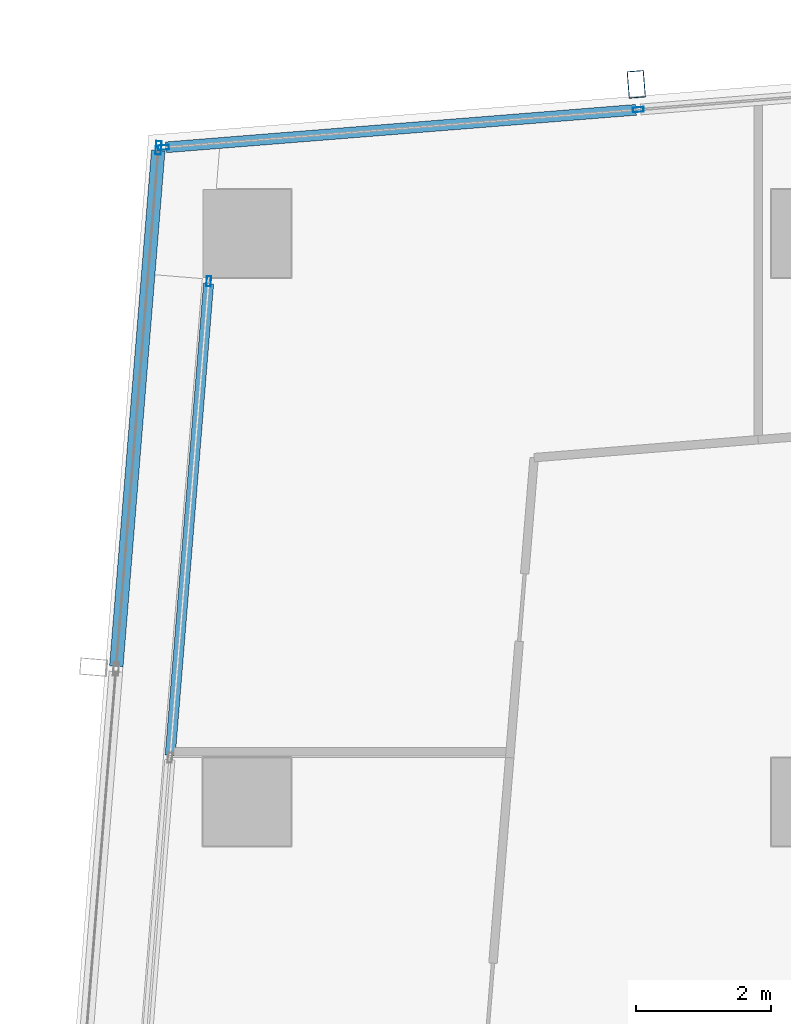
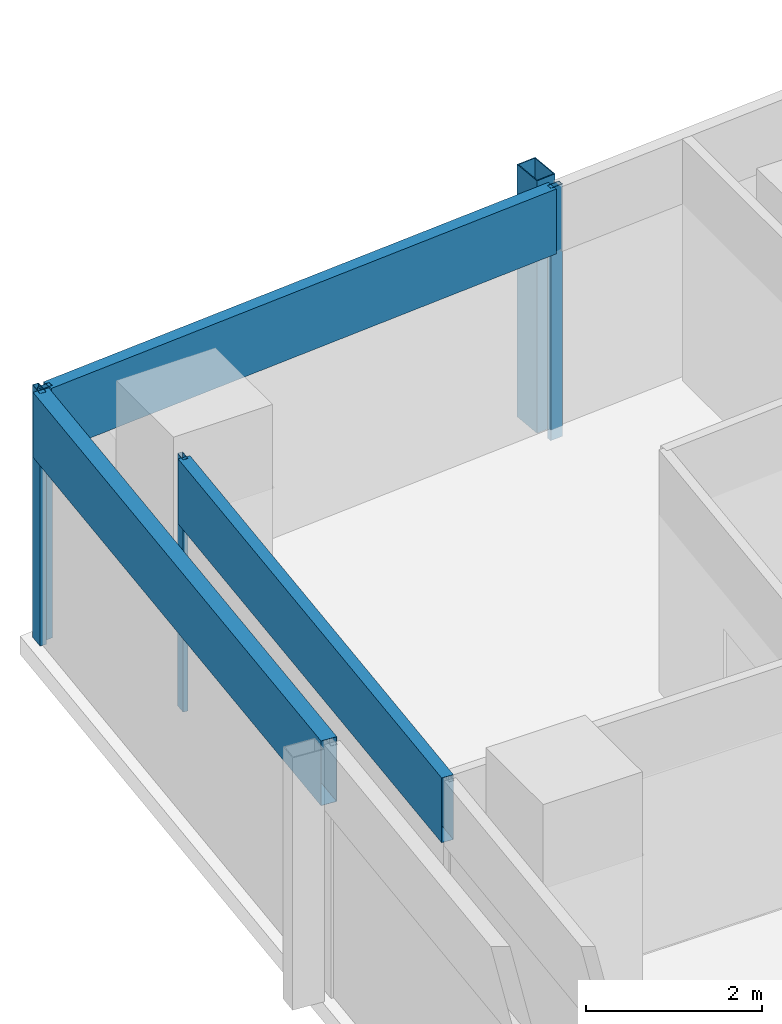
# One storey, part 13 of 28: 8 members, 3 elements without a shape of their own.
"""IFC4 building model written with IfcOpenShell, lengths in metres."""

import ifcopenshell
import ifcopenshell.guid

model = None  # the IFC model being written
_history = None  # IfcOwnerHistory: only IFC2X3 demands one
_inside = {}  # id of a spatial element -> (the spatial element, [elements in it])
_under = {}  # id of a project, library or spatial element -> (it, [spatial elements below it])
_declared = {}  # id of a project -> (the project, [libraries it declares])
_typed = {}  # id of a type object -> (the type object, [elements of that type])
_made_of = {}  # id of a material, layer set ... -> (it, [elements and type objects made of it])


def new_model(schema):
    """Start an empty IFC model of exactly this schema.

    Asked for "IFC4X3", IfcOpenShell would pick the latest addendum, in which some entities
    have other attributes; the version numbers below select the first issue.
    IFC2X3 requires an IfcOwnerHistory on every rooted entity: one is made here for all.
    """
    global model, _history
    if schema == "IFC4X3":
        model = ifcopenshell.file(schema_version=(4, 3, 0, 0))
    else:
        model = ifcopenshell.file(schema=schema)
    _inside.clear()
    _under.clear()
    _declared.clear()
    _typed.clear()
    _made_of.clear()
    _history = None
    if model.schema == "IFC2X3":
        org = make("IfcOrganization", Name="unknown")
        user = make(
            "IfcPersonAndOrganization",
            ThePerson=make("IfcPerson", FamilyName="unknown"),
            TheOrganization=org,
        )
        app = make(
            "IfcApplication",
            ApplicationDeveloper=org,
            Version="unknown",
            ApplicationFullName="unknown",
            ApplicationIdentifier="unknown",
        )
        _history = make(
            "IfcOwnerHistory",
            OwningUser=user,
            OwningApplication=app,
            ChangeAction="ADDED",
            CreationDate=0,
        )
    return model


def make(cls, **values):
    """One entity of the class cls with the attributes given. An attribute that is None is left unset."""
    return model.create_entity(
        cls, **{name: value for name, value in values.items() if value is not None}
    )


def rooted(cls, **values):
    """An entity with a GlobalId (a new one), such as an element, a storey or a relation."""
    return make(cls, GlobalId=ifcopenshell.guid.new(), OwnerHistory=_history, **values)


def si_unit(unit_type, name, prefix=None):
    """IfcSIUnit, for example si_unit("LENGTHUNIT", "METRE", prefix="MILLI")."""
    return make("IfcSIUnit", UnitType=unit_type, Prefix=prefix, Name=name)


def assignment(units):
    """IfcUnitAssignment: the units of a project."""
    return None if units is None else make("IfcUnitAssignment", Units=units)


def point(xyz):
    """IfcCartesianPoint."""
    return None if xyz is None else make("IfcCartesianPoint", Coordinates=xyz)


def direction(xyz):
    """IfcDirection."""
    return None if xyz is None else make("IfcDirection", DirectionRatios=xyz)


def frame(location, z_axis=None, x_axis=None):
    """IfcAxis2Placement3D, a coordinate frame: its origin and axes. An axis left out is left unset."""
    return make(
        "IfcAxis2Placement3D",
        Location=point(location),
        Axis=direction(z_axis),
        RefDirection=direction(x_axis),
    )


def frame_2d(location, x_axis=None):
    """IfcAxis2Placement2D, a coordinate frame in the plane: its origin and x axis."""
    return make(
        "IfcAxis2Placement2D", Location=point(location), RefDirection=direction(x_axis)
    )


def origin():
    """The frame at (0, 0, 0) with its axes left unset."""
    return frame((0.0, 0.0, 0.0))


def origin_2d():
    """The frame at (0, 0) in the plane with its x axis left unset."""
    return frame_2d((0.0, 0.0))


def place(relative_to, where):
    """IfcLocalPlacement: puts the frame where relative to a parent placement (None: the world)."""
    return make(
        "IfcLocalPlacement", PlacementRelTo=relative_to, RelativePlacement=where
    )


def context(
    kind, dimensions, precision=None, world=None, true_north=None, identifier=None
):
    """IfcGeometricRepresentationContext, for example the 3D "Model" context."""
    return make(
        "IfcGeometricRepresentationContext",
        ContextIdentifier=identifier,
        ContextType=kind,
        CoordinateSpaceDimension=dimensions,
        Precision=precision,
        WorldCoordinateSystem=world,
        TrueNorth=true_north,
    )


def subcontext(parent, identifier, kind, view, scale=None):
    """IfcGeometricRepresentationSubContext, for example "Body" below "Model"."""
    return make(
        "IfcGeometricRepresentationSubContext",
        ContextIdentifier=identifier,
        ContextType=kind,
        ParentContext=parent,
        TargetScale=scale,
        TargetView=view,
    )


def project(units=None, contexts=None):
    """IfcProject with its units and contexts."""
    return rooted(
        "IfcProject",
        Name="project",
        RepresentationContexts=contexts,
        UnitsInContext=assignment(units),
    )


def spatial(cls, under=None, at=None, **own):
    """A site, building, storey or space (cls), placed at a placement, below another one or the project."""
    s = rooted(cls, ObjectPlacement=at, **own)
    if under is not None:
        _under.setdefault(under.id(), (under, []))[1].append(s)
    return s


def profile(cls, at=None, kind="AREA", **sizes):
    """A parametric profile (cls). Its sizes go by their IFC names, for example OverallWidth=200.0."""
    return make(cls, ProfileType=kind, Position=at, **sizes)


def hollow_rectangle(**sizes):
    """IfcRectangleHollowProfileDef."""
    return profile("IfcRectangleHollowProfileDef", **sizes)


def extrude(swept, where, along, depth):
    """IfcExtrudedAreaSolid: the profile swept, set in the frame where, extruded along a direction by depth."""
    return make(
        "IfcExtrudedAreaSolid",
        SweptArea=swept,
        Position=where,
        ExtrudedDirection=direction(along),
        Depth=depth,
    )


def shape(context_of_items, identifier, shape_type, items):
    """IfcShapeRepresentation: the items that make up one representation, for example the "Body"."""
    return make(
        "IfcShapeRepresentation",
        ContextOfItems=context_of_items,
        RepresentationIdentifier=identifier,
        RepresentationType=shape_type,
        Items=items,
    )


def material(Name=None, Category=None):
    """IfcMaterial."""
    return make("IfcMaterial", Name=Name, Category=Category)


def material_profile(
    of_material, cross_section, Name=None, Category=None, Priority=None
):
    """IfcMaterialProfile: a cross section and its material."""
    return make(
        "IfcMaterialProfile",
        Name=Name,
        Material=of_material,
        Profile=cross_section,
        Priority=Priority,
        Category=Category,
    )


def profile_set(profiles, Name=None, composite=None):
    """IfcMaterialProfileSet."""
    return make(
        "IfcMaterialProfileSet",
        Name=Name,
        MaterialProfiles=profiles,
        CompositeProfile=composite,
    )


def made_of(thing, what):
    """Note that an element or type object is made of a material, layer set ...; save() writes the relation."""
    if what is not None:
        _made_of.setdefault(what.id(), (what, []))[1].append(thing)
    return thing


def type_object(cls, material=None, **own):
    """A type object (cls), such as IfcWallType, which elements share."""
    return made_of(rooted(cls, **own), material)


def element(
    cls,
    number,
    at=None,
    inside=None,
    cuts=None,
    type_object=None,
    material=None,
    context=None,
    identifier="Body",
    shape_type=None,
    held_by="IfcProductDefinitionShape",
    body=None,
    shapes=None,
    **own,
):
    """One element of the class cls, such as IfcWall. Its Tag is "e" and its number.

    at: its placement. inside: the storey or other place that contains it. cuts: it is an
    opening in that element (IfcRelVoidsElement). A single representation is given by context,
    identifier, shape_type and body (its items); several are given by shapes. held_by: the class
    of the entity that holds the representations. save() writes the other relations.
    """
    e = rooted(cls, Tag="e%d" % number, ObjectPlacement=at, **own)
    if body is not None:
        shapes = [shape(context, identifier, shape_type, body)]
    if shapes is not None:
        e.Representation = make(held_by, Representations=shapes)
    if inside is not None:
        _inside.setdefault(inside.id(), (inside, []))[1].append(e)
    if cuts is not None:
        rooted(
            "IfcRelVoidsElement", RelatingBuildingElement=cuts, RelatedOpeningElement=e
        )
    if type_object is not None:
        _typed.setdefault(type_object.id(), (type_object, []))[1].append(e)
    return made_of(e, material)


def aggregate(whole, parts):
    """IfcRelAggregates: a whole, such as a stair, and the parts it consists of."""
    return rooted("IfcRelAggregates", RelatingObject=whole, RelatedObjects=parts)


def save(model, path):
    """Write the relations noted so far, then the file.

    IfcRelAggregates (storeys below a building ...), IfcRelContainedInSpatialStructure (elements
    in a storey), IfcRelDefinesByType, IfcRelAssociatesMaterial and IfcRelDeclares: one each for
    every whole, place, type object, material and project.
    """
    for whole, parts in _under.values():
        aggregate(whole, parts)
    for where, things in _inside.values():
        rooted(
            "IfcRelContainedInSpatialStructure",
            RelatedElements=things,
            RelatingStructure=where,
        )
    for kind, things in _typed.values():
        rooted("IfcRelDefinesByType", RelatedObjects=things, RelatingType=kind)
    for what, things in _made_of.values():
        rooted("IfcRelAssociatesMaterial", RelatedObjects=things, RelatingMaterial=what)
    for by, libraries in _declared.values():
        rooted("IfcRelDeclares", RelatingContext=by, RelatedDefinitions=libraries)
    model.write(path)


model = new_model("IFC4")

# Units and contexts
model_context = context("Model", 3, precision=1e-05, world=origin(), true_north=direction((0.0, 1.0)))
body_context = subcontext(model_context, "Body", "Model", "MODEL_VIEW")
ifc_project = project(units=[si_unit("LENGTHUNIT", "METRE"), si_unit("AREAUNIT", "SQUARE_METRE"), si_unit("VOLUMEUNIT", "CUBIC_METRE"), si_unit("PLANEANGLEUNIT", "RADIAN"), si_unit("MASSUNIT", "GRAM", prefix="KILO")], contexts=[model_context])

# Site, building, storey
site_placement = place(None, origin())
site = spatial("IfcSite", under=ifc_project, at=site_placement, CompositionType="ELEMENT")
building_placement = place(site_placement, origin())
building = spatial("IfcBuilding", under=site, at=building_placement, Name="Rekha Terrace Tower", CompositionType="ELEMENT")
storey_placement = place(building_placement, frame((0.0, 0.0, 253.85009765625)))
storey = spatial("IfcBuildingStorey", under=building, at=storey_placement, Name="L64", CompositionType="ELEMENT", Elevation=253.85009765625)

# Curtain wall, member
ifc_material_1 = material(Name="Aluminium framing", Category="aluminium")
curtain_wall_type_1 = type_object("IfcCurtainWallType", Name="CW3 north unitised glazing", PredefinedType="USERDEFINED", material=ifc_material_1)
curtain_wall_1_placement = place(storey_placement, origin())
curtain_wall_1 = element("IfcCurtainWall", 1, at=curtain_wall_1_placement, inside=storey, type_object=curtain_wall_type_1, Name="CW3 unitised curtain wall", ObjectType="UNITISED CURTAIN WALL", PredefinedType="USERDEFINED")
ifc_material_2 = material(Name="Steel S355 with fluorocarbon finish", Category="steel")
ifc_material_profile_1 = material_profile(ifc_material_2, hollow_rectangle(XDim=0.25, YDim=0.39990234375, WallThickness=0.012451171875, at=origin_2d()), Name="RHS400x250x12.5")
ifc_profile_set_1 = profile_set([ifc_material_profile_1], Name="Steel S355 with fluorocarbon finish")
member_type_1 = type_object("IfcMemberType", Name="BL1 facade blade RHS 400 x 250", PredefinedType="USERDEFINED", material=ifc_profile_set_1)
member_1_placement = place(storey_placement, frame((14.1513671875, 52.599853515625, 0.0), z_axis=(0.0, 0.0, 1.0), x_axis=(-0.996836012392, -0.079485623849, 0.0)))
member_1 = element("IfcMember", 2, at=member_1_placement, type_object=member_type_1, Name="Facade blade", ObjectType="FACADE BLADE", PredefinedType="USERDEFINED", context=body_context, shape_type="SweptSolid", body=[
    extrude(hollow_rectangle(XDim=0.25, YDim=0.39990234375, WallThickness=0.012451171875, at=origin_2d()), origin(), (0.0, 0.0, 1.0), 3.5),
])

# Curtain wall, members
curtain_wall_type_2 = type_object("IfcCurtainWallType", Name="CW1 double skin inner glazing", PredefinedType="USERDEFINED", material=ifc_material_1)
curtain_wall_2_placement = place(storey_placement, origin())
curtain_wall_2 = element("IfcCurtainWall", 3, at=curtain_wall_2_placement, inside=storey, type_object=curtain_wall_type_2, Name="CW1 double skin inner glazing", ObjectType="DOUBLE SKIN INNER GLAZING", PredefinedType="USERDEFINED")
ifc_material_3 = material(Name="Aluminium mullion section", Category="aluminium")
ifc_material_profile_2 = material_profile(ifc_material_3, hollow_rectangle(XDim=0.06494140625, YDim=0.14990234375, WallThickness=0.00390625, at=origin_2d()), Name="AL RHS 65x150")
ifc_profile_set_2 = profile_set([ifc_material_profile_2], Name="Aluminium mullion section")
member_type_2 = type_object("IfcMemberType", Name="CW1 mullion RHS 65 x 150", PredefinedType="MULLION", material=ifc_profile_set_2)
member_2_placement = place(storey_placement, frame((7.837890625, 49.690185546875, 0.0), z_axis=(0.0, 0.0, 1.0), x_axis=(0.996708580524, -0.081067906781, 0.0)))
member_2 = element("IfcMember", 4, at=member_2_placement, type_object=member_type_2, Name="CW1 mullion 1", PredefinedType="MULLION", context=body_context, shape_type="SweptSolid", body=[
    extrude(hollow_rectangle(XDim=0.06494140625, YDim=0.14990234375, WallThickness=0.00390625, at=origin_2d()), origin(), (0.0, 0.0, 1.0), 3.5),
])
ifc_material_4 = material(Name="Insulated aluminium spandrel box", Category="aluminium")
ifc_material_profile_3 = material_profile(ifc_material_4, hollow_rectangle(XDim=0.14990234375, YDim=0.89990234375, WallThickness=0.0029296875, at=origin_2d()), Name="AL SPANDREL BOX 150x900")
ifc_profile_set_3 = profile_set([ifc_material_profile_3], Name="Insulated aluminium spandrel box")
member_type_3 = type_object("IfcMemberType", Name="CW1 spandrel transom 150 x 900", PredefinedType="USERDEFINED", material=ifc_profile_set_3)
member_3_placement = place(storey_placement, frame((7.835205078125, 49.65771484375, 3.0498046875), z_axis=(-0.081074618383, -0.996708034609, 0.0), x_axis=(0.996708034609, -0.081074618383, 0.0)))
member_3 = element("IfcMember", 5, at=member_3_placement, type_object=member_type_3, Name="CW1 spandrel transom 1", ObjectType="TRANSOM", PredefinedType="USERDEFINED", context=body_context, shape_type="SweptSolid", body=[
    extrude(hollow_rectangle(XDim=0.14990234375, YDim=0.89990234375, WallThickness=0.0029296875, at=origin_2d()), origin(), (0.0, 0.0, 1.0), 6.9921875),
])
aggregate(curtain_wall_2, [member_2, member_3])

curtain_wall_type_3 = type_object("IfcCurtainWallType", Name="CW2 double skin outer glazing", PredefinedType="USERDEFINED", material=ifc_material_1)
curtain_wall_3_placement = place(storey_placement, origin())
curtain_wall_3 = element("IfcCurtainWall", 6, at=curtain_wall_3_placement, inside=storey, type_object=curtain_wall_type_3, Name="CW2 double skin outer glazing", ObjectType="DOUBLE SKIN OUTER GLAZING", PredefinedType="USERDEFINED")
ifc_material_profile_4 = material_profile(ifc_material_3, hollow_rectangle(XDim=0.080078125, YDim=0.199951171875, WallThickness=0.00390625, at=origin_2d()), Name="AL RHS 80x200")
ifc_profile_set_4 = profile_set([ifc_material_profile_4], Name="Aluminium mullion section")
member_type_4 = type_object("IfcMemberType", Name="CW2 mullion RHS 80 x 200", PredefinedType="MULLION", material=ifc_profile_set_4)
member_4_placement = place(storey_placement, frame((7.09521484375, 51.661376953125, 0.0), z_axis=(0.0, 0.0, 1.0), x_axis=(0.996708580521, -0.081067906816, 0.0)))
member_4 = element("IfcMember", 7, at=member_4_placement, type_object=member_type_4, Name="CW2 mullion 1", PredefinedType="MULLION", context=body_context, shape_type="SweptSolid", body=[
    extrude(hollow_rectangle(XDim=0.080078125, YDim=0.199951171875, WallThickness=0.00390625, at=origin_2d()), origin(), (0.0, 0.0, 1.0), 3.5),
])
ifc_material_profile_5 = material_profile(ifc_material_4, hollow_rectangle(XDim=0.199951171875, YDim=0.89990234375, WallThickness=0.0029296875, at=origin_2d()), Name="AL SPANDREL BOX 200x900")
ifc_profile_set_5 = profile_set([ifc_material_profile_5], Name="Insulated aluminium spandrel box")
member_type_5 = type_object("IfcMemberType", Name="CW2 spandrel transom 200 x 900", PredefinedType="USERDEFINED", material=ifc_profile_set_5)
member_5_placement = place(storey_placement, frame((7.092041015625, 51.62158203125, 3.0498046875), z_axis=(-0.081093832935, -0.996706471465, 0.0), x_axis=(0.996706471465, -0.081093832935, 0.0)))
member_5 = element("IfcMember", 8, at=member_5_placement, type_object=member_type_5, Name="CW2 spandrel transom 1", ObjectType="TRANSOM", PredefinedType="USERDEFINED", context=body_context, shape_type="SweptSolid", body=[
    extrude(hollow_rectangle(XDim=0.199951171875, YDim=0.89990234375, WallThickness=0.0029296875, at=origin_2d()), origin(), (0.0, 0.0, 1.0), 7.640869140625),
])
aggregate(curtain_wall_3, [member_4, member_5])

# Member
ifc_material_profile_6 = material_profile(ifc_material_3, hollow_rectangle(XDim=0.070068359375, YDim=0.159912109375, WallThickness=0.00390625, at=origin_2d()), Name="AL RHS 70x160")
ifc_profile_set_6 = profile_set([ifc_material_profile_6], Name="Aluminium mullion section")
member_type_6 = type_object("IfcMemberType", Name="CW3 mullion RHS 70 x 160", PredefinedType="MULLION", material=ifc_profile_set_6)
member_6_placement = place(storey_placement, frame((14.18115234375, 52.22607421875, 0.0), z_axis=(0.0, 0.0, 1.0), x_axis=(0.07948505154, -0.996836058026, 0.0)))
member_6 = element("IfcMember", 9, at=member_6_placement, type_object=member_type_6, Name="CW3 mullion 3", PredefinedType="MULLION", context=body_context, shape_type="SweptSolid", body=[
    extrude(hollow_rectangle(XDim=0.070068359375, YDim=0.159912109375, WallThickness=0.00390625, at=origin_2d()), origin(), (0.0, 0.0, 1.0), 3.5),
])

member_7_placement = place(storey_placement, frame((7.17041015625, 51.6669921875, 0.0), z_axis=(0.0, 0.0, 1.0), x_axis=(0.07948505154, -0.996836058026, 0.0)))
member_7 = element("IfcMember", 10, at=member_7_placement, type_object=member_type_6, Name="CW3 mullion 4", PredefinedType="MULLION", context=body_context, shape_type="SweptSolid", body=[
    extrude(hollow_rectangle(XDim=0.070068359375, YDim=0.159912109375, WallThickness=0.00390625, at=origin_2d()), origin(), (0.0, 0.0, 1.0), 3.5),
])

ifc_material_profile_7 = material_profile(ifc_material_4, hollow_rectangle(XDim=0.159912109375, YDim=0.89990234375, WallThickness=0.0029296875, at=origin_2d()), Name="AL SPANDREL BOX 160x900")
ifc_profile_set_7 = profile_set([ifc_material_profile_7], Name="Insulated aluminium spandrel box")
member_type_7 = type_object("IfcMemberType", Name="CW3 spandrel transom 160 x 900", PredefinedType="USERDEFINED", material=ifc_profile_set_7)
member_8_placement = place(storey_placement, frame((14.146240234375, 52.22314453125, 3.0498046875), z_axis=(-0.996835870382, -0.079487404789, 0.0), x_axis=(0.079487404789, -0.996835870382, 0.0)))
member_8 = element("IfcMember", 11, at=member_8_placement, type_object=member_type_7, Name="CW3 spandrel transom 3", ObjectType="TRANSOM", PredefinedType="USERDEFINED", context=body_context, shape_type="SweptSolid", body=[
    extrude(hollow_rectangle(XDim=0.159912109375, YDim=0.89990234375, WallThickness=0.0029296875, at=origin_2d()), origin(), (0.0, 0.0, 1.0), 6.962890625),
])

aggregate(curtain_wall_1, [member_6, member_7, member_8, member_1])

save(model, "model.ifc")
